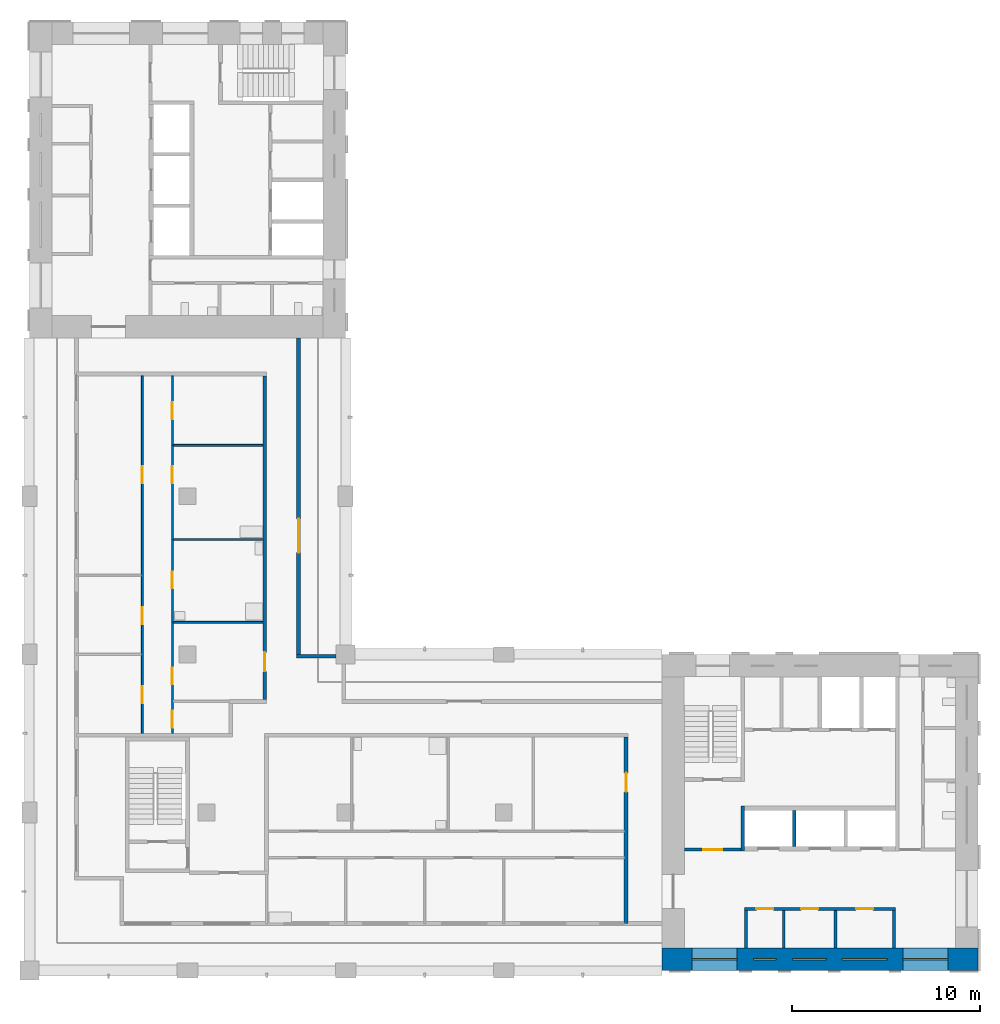
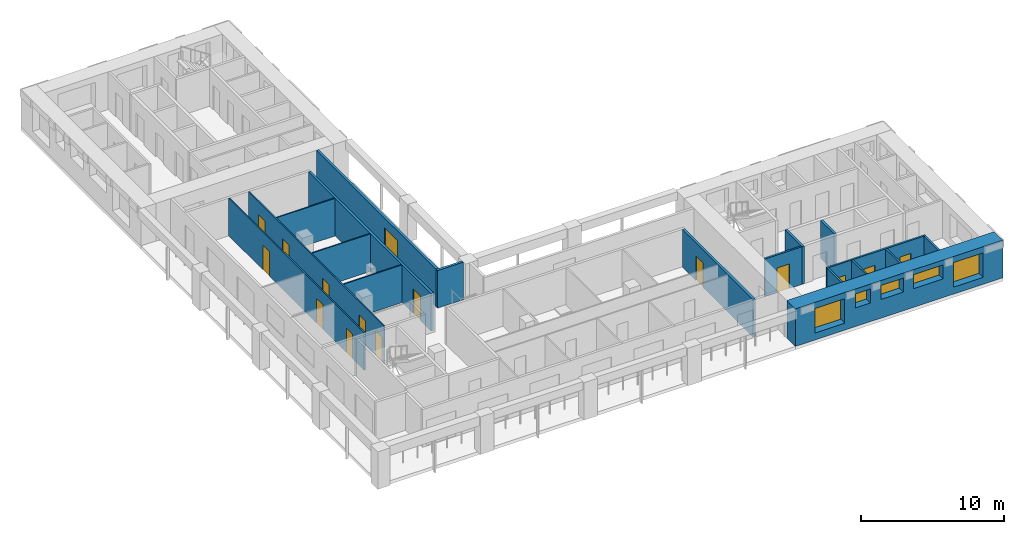
# One storey, part 3 of 9: 18 walls, 15 doors, 5 windows, 20 openings.
"""IFC4 building model written with IfcOpenShell, lengths in metres."""

from ifc_helpers import new_model, si_unit, direction, frame, frame_2d, origin, place, context, subcontext, project, spatial, rectangle, extrude, material, layer, layer_set, type_object, element, fill, save


model = new_model("IFC4")

# Units and contexts
model_context = context("Model", 3, precision=1e-05, world=origin(), true_north=direction((0.0, 1.0)))
body_context = subcontext(model_context, "Body", "Model", "MODEL_VIEW")
ifc_project = project(units=[si_unit("LENGTHUNIT", "METRE"), si_unit("AREAUNIT", "SQUARE_METRE"), si_unit("VOLUMEUNIT", "CUBIC_METRE"), si_unit("PLANEANGLEUNIT", "RADIAN"), si_unit("MASSUNIT", "GRAM", prefix="KILO")], contexts=[model_context])

# Site, building, storey
site_placement = place(None, origin())
site = spatial("IfcSite", under=ifc_project, at=site_placement, CompositionType="ELEMENT")
building_placement = place(site_placement, origin())
building = spatial("IfcBuilding", under=site, at=building_placement, Name="Vermilion Gate Residences", CompositionType="ELEMENT")
storey_placement = place(building_placement, frame((0.0, 0.0, 231.699951171875)))
storey = spatial("IfcBuildingStorey", under=building, at=storey_placement, Name="L60", CompositionType="ELEMENT", Elevation=231.699951171875)

# Walls
ifc_material_1 = material(Name="Masonry blockwork", Category="masonry")
ifc_layer_1 = layer(ifc_material_1, 0.14990234375)
ifc_layer_set_1 = layer_set([ifc_layer_1], Name="BLOCKWORK PARTITION 150 EI 120")
wall_type_1 = type_object("IfcWallType", Name="BLOCKWORK PARTITION 150 EI 120", PredefinedType="PARTITIONING", material=ifc_layer_set_1)
for number, where, z_axis, x_axis, name in (
    (1, (46.47509765625, 9.60009765625, 0.0), (0.0, 0.0, 1.0), (0.0, 1.0, 0.0), "Core room partition A60-RW-W"),
    (2, (54.324951171875, 9.60009765625, 0.0), (0.0, 0.0, 1.0), (0.0, 1.0, 0.0), "Core room partition A60-RW-E"),
    (3, (48.47509765625, 9.60009765625, 0.0), (0.0, 0.0, 1.0), (0.0, 1.0, 0.0), "Core room partition A60-SR-P0"),
    (4, (51.215087890625, 9.60009765625, 0.0), (0.0, 0.0, 1.0), (0.0, 1.0, 0.0), "Core room partition A60-SR-P1"),
):
    element("IfcWall", number, at=place(storey_placement, frame(where, z_axis=z_axis, x_axis=x_axis)), inside=storey, type_object=wall_type_1, Name=name, PredefinedType="PARTITIONING", context=body_context, shape_type="SweptSolid", body=[
        extrude(rectangle(XDim=2.0, YDim=0.14990234375, at=frame_2d((1.0, 0.0))), origin(), (0.0, 0.0, 1.0), 3.219970703125),
    ])

# Wall, openings, doors
wall_1_placement = place(storey_placement, frame((46.39990234375, 11.675048828125, 0.0), z_axis=(0.0, 0.0, 1.0), x_axis=(1.0, 0.0, 0.0)))
wall_1 = element("IfcWall", 5, at=wall_1_placement, inside=storey, type_object=wall_type_1, Name="Core room partition A60-LR-F", PredefinedType="PARTITIONING", context=body_context, shape_type="SweptSolid", body=[
    extrude(rectangle(XDim=8.0, YDim=0.14990234375, at=frame_2d((4.0, 0.0))), origin(), (0.0, 0.0, 1.0), 3.219970703125),
])
opening_1_placement = place(wall_1_placement, frame((0.625, 0.0, 0.0)))
opening_1 = element("IfcOpeningElement", 6, at=opening_1_placement, cuts=wall_1, Name="Opening DK60002", PredefinedType="OPENING", context=body_context, shape_type="SweptSolid", body=[
    extrude(rectangle(XDim=0.89990234375, YDim=2.10009765625, at=frame_2d((0.449951171875, 1.050048828125))), frame((0.0, 0.0849609375, 0.0), z_axis=(0.0, -1.0, 0.0), x_axis=(1.0, 0.0, 0.0)), (0.0, 0.0, 1.0), 0.169921875),
])
opening_2_placement = place(wall_1_placement, frame((2.9951171875, 0.0, 0.0)))
opening_2 = element("IfcOpeningElement", 7, at=opening_2_placement, cuts=wall_1, Name="Opening DK60003", PredefinedType="OPENING", context=body_context, shape_type="SweptSolid", body=[
    extrude(rectangle(XDim=0.89990234375, YDim=2.10009765625, at=frame_2d((0.449951171875, 1.050048828125))), frame((0.0, 0.0849609375, 0.0), z_axis=(0.0, -1.0, 0.0), x_axis=(1.0, 0.0, 0.0)), (0.0, 0.0, 1.0), 0.169921875),
])
opening_3_placement = place(wall_1_placement, frame((5.919921875, 0.0, 0.0)))
opening_3 = element("IfcOpeningElement", 8, at=opening_3_placement, cuts=wall_1, Name="Opening DK60004", PredefinedType="OPENING", context=body_context, shape_type="SweptSolid", body=[
    extrude(rectangle(XDim=0.89990234375, YDim=2.10009765625, at=frame_2d((0.449951171875, 1.050048828125))), frame((0.0, 0.0849609375, 0.0), z_axis=(0.0, -1.0, 0.0), x_axis=(1.0, 0.0, 0.0)), (0.0, 0.0, 1.0), 0.169921875),
])
ifc_material_2 = material(Name="Steel", Category="steel")
door_type_1 = type_object("IfcDoorType", Name="SERVICE ROOM DOOR FD60 900 X 2100", OperationType="SINGLE_SWING_LEFT", PredefinedType="DOOR", material=ifc_material_2)
door_1_placement = place(opening_1_placement, frame((0.89990234375, 0.0, 0.0), z_axis=(0.0, 0.0, 1.0), x_axis=(-1.0, 0.0, 0.0)))
door_1 = element("IfcDoor", 9, at=door_1_placement, inside=storey, type_object=door_type_1, Name="Mail room A60", OperationType="SINGLE_SWING_RIGHT", OverallHeight=2.10009765625, OverallWidth=0.89990234375, PredefinedType="DOOR", context=body_context, shape_type="SweptSolid", body=[
    extrude(rectangle(XDim=0.89990234375, YDim=2.10009765625, at=frame_2d((0.449951171875, 1.050048828125))), frame((0.0, 0.02490234375, 0.0), z_axis=(0.0, -1.0, 0.0), x_axis=(1.0, 0.0, 0.0)), (0.0, 0.0, 1.0), 0.050048828125),
])
fill(opening_1, door_1)
door_2_placement = place(opening_2_placement, frame((0.89990234375, 0.0, 0.0), z_axis=(0.0, 0.0, 1.0), x_axis=(-1.0, 0.0, 0.0)))
door_2 = element("IfcDoor", 10, at=door_2_placement, inside=storey, type_object=door_type_1, Name="Cleaner's store A60", OperationType="SINGLE_SWING_RIGHT", OverallHeight=2.10009765625, OverallWidth=0.89990234375, PredefinedType="DOOR", context=body_context, shape_type="SweptSolid", body=[
    extrude(rectangle(XDim=0.89990234375, YDim=2.10009765625, at=frame_2d((0.449951171875, 1.050048828125))), frame((0.0, 0.02490234375, 0.0), z_axis=(0.0, -1.0, 0.0), x_axis=(1.0, 0.0, 0.0)), (0.0, 0.0, 1.0), 0.050048828125),
])
fill(opening_2, door_2)
door_3_placement = place(opening_3_placement, origin())
door_3 = element("IfcDoor", 11, at=door_3_placement, inside=storey, type_object=door_type_1, Name="Electrical room A60", OperationType="SINGLE_SWING_LEFT", OverallHeight=2.10009765625, OverallWidth=0.89990234375, PredefinedType="DOOR", context=body_context, shape_type="SweptSolid", body=[
    extrude(rectangle(XDim=0.89990234375, YDim=2.10009765625, at=frame_2d((0.449951171875, 1.050048828125))), frame((0.0, 0.02490234375, 0.0), z_axis=(0.0, -1.0, 0.0), x_axis=(1.0, 0.0, 0.0)), (0.0, 0.0, 1.0), 0.050048828125),
])
fill(opening_3, door_3)

# Wall, opening, door
wall_2_placement = place(storey_placement, frame((43.199951171875, 14.824951171875, 0.0), z_axis=(0.0, 0.0, 1.0), x_axis=(1.0, 0.0, 0.0)))
wall_2 = element("IfcWall", 12, at=wall_2_placement, inside=storey, type_object=wall_type_1, Name="Core room partition A60-VW-S", PredefinedType="PARTITIONING", context=body_context, shape_type="SweptSolid", body=[
    extrude(rectangle(XDim=3.0, YDim=0.14990234375, at=frame_2d((1.5, 0.0))), origin(), (0.0, 0.0, 1.0), 3.219970703125),
])
opening_4_placement = place(wall_2_placement, frame((1.0, 0.0, 0.0)))
opening_4 = element("IfcOpeningElement", 13, at=opening_4_placement, cuts=wall_2, Name="Opening DK60012", PredefinedType="OPENING", context=body_context, shape_type="SweptSolid", body=[
    extrude(rectangle(XDim=1.0, YDim=2.10009765625, at=frame_2d((0.5, 1.050048828125))), frame((0.0, 0.0849609375, 0.0), z_axis=(0.0, -1.0, 0.0), x_axis=(1.0, 0.0, 0.0)), (0.0, 0.0, 1.0), 0.169921875),
])
ifc_material_3 = material(Name="Steel", Category="steel")
door_type_2 = type_object("IfcDoorType", Name="FIRE DOOR FD60 1000 X 2100", OperationType="SINGLE_SWING_LEFT", PredefinedType="DOOR", material=ifc_material_3)
door_4_placement = place(opening_4_placement, frame((1.0, 0.0, 0.0), z_axis=(0.0, 0.0, 1.0), x_axis=(-1.0, 0.0, 0.0)))
door_4 = element("IfcDoor", 14, at=door_4_placement, inside=storey, type_object=door_type_2, Name="Stair vestibule door A60", OperationType="SINGLE_SWING_RIGHT", OverallHeight=2.10009765625, OverallWidth=1.0, PredefinedType="DOOR", context=body_context, shape_type="SweptSolid", body=[
    extrude(rectangle(XDim=1.0, YDim=2.10009765625, at=frame_2d((0.5, 1.050048828125))), frame((0.0, 0.02490234375, 0.0), z_axis=(0.0, -1.0, 0.0), x_axis=(1.0, 0.0, 0.0)), (0.0, 0.0, 1.0), 0.050048828125),
])
fill(opening_4, door_4)

# Wall
ifc_material_4 = material(Name="Insulated steel stud wall with terracotta rainscreen", Category="masonry")
ifc_layer_2 = layer(ifc_material_4, 0.199951171875)
ifc_layer_set_2 = layer_set([ifc_layer_2], Name="EXTERNAL WALL 200 TERRACOTTA RAINSCREEN")
wall_type_2 = type_object("IfcWallType", Name="EXTERNAL WALL 200 TERRACOTTA RAINSCREEN", PredefinedType="SOLIDWALL", material=ifc_layer_set_2)
wall_3_placement = place(storey_placement, frame((24.699951171875, 25.10009765625, 0.0), z_axis=(0.0, 0.0, 1.0), x_axis=(-1.0, 0.0, 0.0)))
element("IfcWall", 15, at=wall_3_placement, inside=storey, type_object=wall_type_2, Name="External wall", PredefinedType="SOLIDWALL", context=body_context, shape_type="SweptSolid", body=[
    extrude(rectangle(XDim=2.099853515625, YDim=0.199951171875, at=frame_2d((1.0498046875, 0.0))), origin(), (0.0, 0.0, 1.0), 3.219970703125),
])

# Wall, opening, door
wall_4_placement = place(storey_placement, frame((22.699951171875, 25.199951171875, 0.0), z_axis=(0.0, 0.0, 1.0), x_axis=(0.0, 1.0, 0.0)))
wall_4 = element("IfcWall", 16, at=wall_4_placement, inside=storey, type_object=wall_type_2, Name="External wall", PredefinedType="SOLIDWALL", context=body_context, shape_type="SweptSolid", body=[
    extrude(rectangle(XDim=16.800048828125, YDim=0.199951171875, at=frame_2d((8.39990234375, 0.0))), origin(), (0.0, 0.0, 1.0), 3.219970703125),
])
opening_5_placement = place(wall_4_placement, frame((5.39990234375, 0.0, 0.0)))
opening_5 = element("IfcOpeningElement", 17, at=opening_5_placement, cuts=wall_4, Name="Opening DE60016", PredefinedType="OPENING", context=body_context, shape_type="SweptSolid", body=[
    extrude(rectangle(XDim=1.800048828125, YDim=2.39990234375, at=frame_2d((0.89990234375, 1.199951171875))), frame((0.0, 0.10986328125, 0.0), z_axis=(0.0, -1.0, 0.0), x_axis=(1.0, 0.0, 0.0)), (0.0, 0.0, 1.0), 0.219970703125),
])
ifc_material_5 = material(Name="Aluminium and clear glass", Category="aluminium")
door_type_3 = type_object("IfcDoorType", Name="GLAZED EXTERNAL DOOR 1800 X 2400", OperationType="DOUBLE_DOOR_SINGLE_SWING", PredefinedType="DOOR", material=ifc_material_5)
door_5_placement = place(opening_5_placement, frame((1.800048828125, 0.0, 0.0), z_axis=(0.0, 0.0, 1.0), x_axis=(-1.0, 0.0, 0.0)))
door_5 = element("IfcDoor", 18, at=door_5_placement, inside=storey, type_object=door_type_3, Name="Gallery door", OperationType="DOUBLE_DOOR_SINGLE_SWING", OverallHeight=2.39990234375, OverallWidth=1.800048828125, PredefinedType="DOOR", context=body_context, shape_type="SweptSolid", body=[
    extrude(rectangle(XDim=1.800048828125, YDim=2.39990234375, at=frame_2d((0.89990234375, 1.199951171875))), frame((0.0, 0.02490234375, 0.0), z_axis=(0.0, -1.0, 0.0), x_axis=(1.0, 0.0, 0.0)), (0.0, 0.0, 1.0), 0.050048828125),
])
fill(opening_5, door_5)

# Walls
ifc_material_6 = material(Name="Plasterboard on steel studs", Category="steel")
ifc_layer_3 = layer(ifc_material_6, 0.10009765625)
ifc_layer_set_3 = layer_set([ifc_layer_3], Name="PARTITION 100")
wall_type_3 = type_object("IfcWallType", Name="PARTITION 100", PredefinedType="PARTITIONING", material=ifc_layer_set_3)
for number, where, z_axis, x_axis, name in (
    (19, (16.050048828125, 26.89990234375, 0.0), (0.0, 0.0, 1.0), (1.0, 0.0, 0.0), "Partition"),
    (20, (16.050048828125, 31.300048828125, 0.0), (0.0, 0.0, 1.0), (1.0, 0.0, 0.0), "Partition"),
    (21, (16.050048828125, 36.300048828125, 0.0), (0.0, 0.0, 1.0), (1.0, 0.0, 0.0), "Partition"),
):
    element("IfcWall", number, at=place(storey_placement, frame(where, z_axis=z_axis, x_axis=x_axis)), inside=storey, type_object=wall_type_3, Name=name, PredefinedType="PARTITIONING", context=body_context, shape_type="SweptSolid", body=[
        extrude(rectangle(XDim=4.75, YDim=0.10009765625, at=frame_2d((2.375, 0.0))), origin(), (0.0, 0.0, 1.0), 3.219970703125),
    ])

# Wall, openings, doors
wall_5_placement = place(storey_placement, frame((14.39990234375, 21.0, 0.0), z_axis=(0.0, 0.0, 1.0), x_axis=(0.0, 1.0, 0.0)))
wall_5 = element("IfcWall", 22, at=wall_5_placement, inside=storey, type_object=wall_type_3, Name="Partition", PredefinedType="PARTITIONING", context=body_context, shape_type="SweptSolid", body=[
    extrude(rectangle(XDim=19.0, YDim=0.10009765625, at=frame_2d((9.5, 0.0))), origin(), (0.0, 0.0, 1.0), 3.219970703125),
])
opening_6_placement = place(wall_5_placement, frame((1.60009765625, 0.0, 0.0)))
opening_6 = element("IfcOpeningElement", 23, at=opening_6_placement, cuts=wall_5, Name="Opening DA58010", PredefinedType="OPENING", context=body_context, shape_type="SweptSolid", body=[
    extrude(rectangle(XDim=0.89990234375, YDim=2.10009765625, at=frame_2d((0.449951171875, 1.050048828125))), frame((0.0, 0.06005859375, 0.0), z_axis=(0.0, -1.0, 0.0), x_axis=(1.0, 0.0, 0.0)), (0.0, 0.0, 1.0), 0.1201171875),
])
opening_7_placement = place(wall_5_placement, frame((5.800048828125, 0.0, 0.0)))
opening_7 = element("IfcOpeningElement", 24, at=opening_7_placement, cuts=wall_5, Name="Opening DA58011", PredefinedType="OPENING", context=body_context, shape_type="SweptSolid", body=[
    extrude(rectangle(XDim=0.89990234375, YDim=2.10009765625, at=frame_2d((0.449951171875, 1.050048828125))), frame((0.0, 0.06005859375, 0.0), z_axis=(0.0, -1.0, 0.0), x_axis=(1.0, 0.0, 0.0)), (0.0, 0.0, 1.0), 0.1201171875),
])
opening_8_placement = place(wall_5_placement, frame((13.300048828125, 0.0, 0.0)))
opening_8 = element("IfcOpeningElement", 25, at=opening_8_placement, cuts=wall_5, Name="Opening DA58012", PredefinedType="OPENING", context=body_context, shape_type="SweptSolid", body=[
    extrude(rectangle(XDim=0.89990234375, YDim=2.10009765625, at=frame_2d((0.449951171875, 1.050048828125))), frame((0.0, 0.06005859375, 0.0), z_axis=(0.0, -1.0, 0.0), x_axis=(1.0, 0.0, 0.0)), (0.0, 0.0, 1.0), 0.1201171875),
])
ifc_material_7 = material(Name="Timber", Category="wood")
door_type_4 = type_object("IfcDoorType", Name="INTERIOR DOOR 900 X 2100", OperationType="SINGLE_SWING_LEFT", PredefinedType="DOOR", material=ifc_material_7)
door_6_placement = place(opening_6_placement, origin())
door_6 = element("IfcDoor", 26, at=door_6_placement, inside=storey, type_object=door_type_4, Name="Interior door", OperationType="SINGLE_SWING_LEFT", OverallHeight=2.10009765625, OverallWidth=0.89990234375, PredefinedType="DOOR", context=body_context, shape_type="SweptSolid", body=[
    extrude(rectangle(XDim=0.89990234375, YDim=2.10009765625, at=frame_2d((0.449951171875, 1.050048828125))), frame((0.0, 0.02490234375, 0.0), z_axis=(0.0, -1.0, 0.0), x_axis=(1.0, 0.0, 0.0)), (0.0, 0.0, 1.0), 0.050048828125),
])
fill(opening_6, door_6)
door_7_placement = place(opening_7_placement, origin())
door_7 = element("IfcDoor", 27, at=door_7_placement, inside=storey, type_object=door_type_4, Name="Interior door", OperationType="SINGLE_SWING_LEFT", OverallHeight=2.10009765625, OverallWidth=0.89990234375, PredefinedType="DOOR", context=body_context, shape_type="SweptSolid", body=[
    extrude(rectangle(XDim=0.89990234375, YDim=2.10009765625, at=frame_2d((0.449951171875, 1.050048828125))), frame((0.0, 0.02490234375, 0.0), z_axis=(0.0, -1.0, 0.0), x_axis=(1.0, 0.0, 0.0)), (0.0, 0.0, 1.0), 0.050048828125),
])
fill(opening_7, door_7)
door_8_placement = place(opening_8_placement, origin())
door_8 = element("IfcDoor", 28, at=door_8_placement, inside=storey, type_object=door_type_4, Name="Interior door", OperationType="SINGLE_SWING_LEFT", OverallHeight=2.10009765625, OverallWidth=0.89990234375, PredefinedType="DOOR", context=body_context, shape_type="SweptSolid", body=[
    extrude(rectangle(XDim=0.89990234375, YDim=2.10009765625, at=frame_2d((0.449951171875, 1.050048828125))), frame((0.0, 0.02490234375, 0.0), z_axis=(0.0, -1.0, 0.0), x_axis=(1.0, 0.0, 0.0)), (0.0, 0.0, 1.0), 0.050048828125),
])
fill(opening_8, door_8)

wall_6_placement = place(storey_placement, frame((16.0, 21.0, 0.0), z_axis=(0.0, 0.0, 1.0), x_axis=(0.0, 1.0, 0.0)))
wall_6 = element("IfcWall", 29, at=wall_6_placement, inside=storey, type_object=wall_type_3, Name="Partition", PredefinedType="PARTITIONING", context=body_context, shape_type="SweptSolid", body=[
    extrude(rectangle(XDim=19.0, YDim=0.10009765625, at=frame_2d((9.5, 0.0))), origin(), (0.0, 0.0, 1.0), 3.219970703125),
])
opening_9_placement = place(wall_6_placement, frame((2.60009765625, 0.0, 0.0)))
opening_9 = element("IfcOpeningElement", 30, at=opening_9_placement, cuts=wall_6, Name="Opening DA58013", PredefinedType="OPENING", context=body_context, shape_type="SweptSolid", body=[
    extrude(rectangle(XDim=0.89990234375, YDim=2.10009765625, at=frame_2d((0.449951171875, 1.050048828125))), frame((0.0, 0.06005859375, 0.0), z_axis=(0.0, -1.0, 0.0), x_axis=(1.0, 0.0, 0.0)), (0.0, 0.0, 1.0), 0.1201171875),
])
opening_10_placement = place(wall_6_placement, frame((0.300048828125, 0.0, 0.0)))
opening_10 = element("IfcOpeningElement", 31, at=opening_10_placement, cuts=wall_6, Name="Opening DA58014", PredefinedType="OPENING", context=body_context, shape_type="SweptSolid", body=[
    extrude(rectangle(XDim=0.89990234375, YDim=2.10009765625, at=frame_2d((0.449951171875, 1.050048828125))), frame((0.0, 0.06005859375, 0.0), z_axis=(0.0, -1.0, 0.0), x_axis=(1.0, 0.0, 0.0)), (0.0, 0.0, 1.0), 0.1201171875),
])
opening_11_placement = place(wall_6_placement, frame((7.699951171875, 0.0, 0.0)))
opening_11 = element("IfcOpeningElement", 32, at=opening_11_placement, cuts=wall_6, Name="Opening DA58015", PredefinedType="OPENING", context=body_context, shape_type="SweptSolid", body=[
    extrude(rectangle(XDim=0.89990234375, YDim=2.10009765625, at=frame_2d((0.449951171875, 1.050048828125))), frame((0.0, 0.06005859375, 0.0), z_axis=(0.0, -1.0, 0.0), x_axis=(1.0, 0.0, 0.0)), (0.0, 0.0, 1.0), 0.1201171875),
])
opening_12_placement = place(wall_6_placement, frame((13.300048828125, 0.0, 0.0)))
opening_12 = element("IfcOpeningElement", 33, at=opening_12_placement, cuts=wall_6, Name="Opening DA58016", PredefinedType="OPENING", context=body_context, shape_type="SweptSolid", body=[
    extrude(rectangle(XDim=0.89990234375, YDim=2.10009765625, at=frame_2d((0.449951171875, 1.050048828125))), frame((0.0, 0.06005859375, 0.0), z_axis=(0.0, -1.0, 0.0), x_axis=(1.0, 0.0, 0.0)), (0.0, 0.0, 1.0), 0.1201171875),
])
opening_13_placement = place(wall_6_placement, frame((16.699951171875, 0.0, 0.0)))
opening_13 = element("IfcOpeningElement", 34, at=opening_13_placement, cuts=wall_6, Name="Opening DA58017", PredefinedType="OPENING", context=body_context, shape_type="SweptSolid", body=[
    extrude(rectangle(XDim=0.89990234375, YDim=2.10009765625, at=frame_2d((0.449951171875, 1.050048828125))), frame((0.0, 0.06005859375, 0.0), z_axis=(0.0, -1.0, 0.0), x_axis=(1.0, 0.0, 0.0)), (0.0, 0.0, 1.0), 0.1201171875),
])
door_9_placement = place(opening_9_placement, frame((0.89990234375, 0.0, 0.0), z_axis=(0.0, 0.0, 1.0), x_axis=(-1.0, 0.0, 0.0)))
door_9 = element("IfcDoor", 35, at=door_9_placement, inside=storey, type_object=door_type_4, Name="Interior door", OperationType="SINGLE_SWING_RIGHT", OverallHeight=2.10009765625, OverallWidth=0.89990234375, PredefinedType="DOOR", context=body_context, shape_type="SweptSolid", body=[
    extrude(rectangle(XDim=0.89990234375, YDim=2.10009765625, at=frame_2d((0.449951171875, 1.050048828125))), frame((0.0, 0.02490234375, 0.0), z_axis=(0.0, -1.0, 0.0), x_axis=(1.0, 0.0, 0.0)), (0.0, 0.0, 1.0), 0.050048828125),
])
fill(opening_9, door_9)
door_10_placement = place(opening_10_placement, frame((0.89990234375, 0.0, 0.0), z_axis=(0.0, 0.0, 1.0), x_axis=(-1.0, 0.0, 0.0)))
door_10 = element("IfcDoor", 36, at=door_10_placement, inside=storey, type_object=door_type_4, Name="Interior door", OperationType="SINGLE_SWING_RIGHT", OverallHeight=2.10009765625, OverallWidth=0.89990234375, PredefinedType="DOOR", context=body_context, shape_type="SweptSolid", body=[
    extrude(rectangle(XDim=0.89990234375, YDim=2.10009765625, at=frame_2d((0.449951171875, 1.050048828125))), frame((0.0, 0.02490234375, 0.0), z_axis=(0.0, -1.0, 0.0), x_axis=(1.0, 0.0, 0.0)), (0.0, 0.0, 1.0), 0.050048828125),
])
fill(opening_10, door_10)
door_11_placement = place(opening_11_placement, frame((0.89990234375, 0.0, 0.0), z_axis=(0.0, 0.0, 1.0), x_axis=(-1.0, 0.0, 0.0)))
door_11 = element("IfcDoor", 37, at=door_11_placement, inside=storey, type_object=door_type_4, Name="Interior door", OperationType="SINGLE_SWING_RIGHT", OverallHeight=2.10009765625, OverallWidth=0.89990234375, PredefinedType="DOOR", context=body_context, shape_type="SweptSolid", body=[
    extrude(rectangle(XDim=0.89990234375, YDim=2.10009765625, at=frame_2d((0.449951171875, 1.050048828125))), frame((0.0, 0.02490234375, 0.0), z_axis=(0.0, -1.0, 0.0), x_axis=(1.0, 0.0, 0.0)), (0.0, 0.0, 1.0), 0.050048828125),
])
fill(opening_11, door_11)
door_12_placement = place(opening_12_placement, frame((0.89990234375, 0.0, 0.0), z_axis=(0.0, 0.0, 1.0), x_axis=(-1.0, 0.0, 0.0)))
door_12 = element("IfcDoor", 38, at=door_12_placement, inside=storey, type_object=door_type_4, Name="Interior door", OperationType="SINGLE_SWING_LEFT", OverallHeight=2.10009765625, OverallWidth=0.89990234375, PredefinedType="DOOR", context=body_context, shape_type="SweptSolid", body=[
    extrude(rectangle(XDim=0.89990234375, YDim=2.10009765625, at=frame_2d((0.449951171875, 1.050048828125))), frame((0.0, 0.02490234375, 0.0), z_axis=(0.0, -1.0, 0.0), x_axis=(1.0, 0.0, 0.0)), (0.0, 0.0, 1.0), 0.050048828125),
])
fill(opening_12, door_12)
door_13_placement = place(opening_13_placement, frame((0.89990234375, 0.0, 0.0), z_axis=(0.0, 0.0, 1.0), x_axis=(-1.0, 0.0, 0.0)))
door_13 = element("IfcDoor", 39, at=door_13_placement, inside=storey, type_object=door_type_4, Name="Interior door", OperationType="SINGLE_SWING_RIGHT", OverallHeight=2.10009765625, OverallWidth=0.89990234375, PredefinedType="DOOR", context=body_context, shape_type="SweptSolid", body=[
    extrude(rectangle(XDim=0.89990234375, YDim=2.10009765625, at=frame_2d((0.449951171875, 1.050048828125))), frame((0.0, 0.02490234375, 0.0), z_axis=(0.0, -1.0, 0.0), x_axis=(1.0, 0.0, 0.0)), (0.0, 0.0, 1.0), 0.050048828125),
])
fill(opening_13, door_13)

# Wall, opening, door
ifc_material_8 = material(Name="Fire-rated plasterboard on steel studs", Category="steel")
ifc_layer_4 = layer(ifc_material_8, 0.199951171875)
ifc_layer_set_4 = layer_set([ifc_layer_4], Name="PARTY WALL 200 EI 120")
wall_type_4 = type_object("IfcWallType", Name="PARTY WALL 200 EI 120", PredefinedType="PARTITIONING", material=ifc_layer_set_4)
wall_7_placement = place(storey_placement, frame((20.89990234375, 22.800048828125, 0.0), z_axis=(0.0, 0.0, 1.0), x_axis=(0.0, 1.0, 0.0)))
wall_7 = element("IfcWall", 40, at=wall_7_placement, inside=storey, type_object=wall_type_4, Name="Party and corridor wall", PredefinedType="PARTITIONING", context=body_context, shape_type="SweptSolid", body=[
    extrude(rectangle(XDim=17.199951171875, YDim=0.199951171875, at=frame_2d((8.60009765625, 0.0))), origin(), (0.0, 0.0, 1.0), 3.219970703125),
])
opening_14_placement = place(wall_7_placement, frame((1.5, 0.0, 0.0)))
opening_14 = element("IfcOpeningElement", 41, at=opening_14_placement, cuts=wall_7, Name="Opening DA58018", PredefinedType="OPENING", context=body_context, shape_type="SweptSolid", body=[
    extrude(rectangle(XDim=1.0, YDim=2.10009765625, at=frame_2d((0.5, 1.050048828125))), frame((0.0, 0.10986328125, 0.0), z_axis=(0.0, -1.0, 0.0), x_axis=(1.0, 0.0, 0.0)), (0.0, 0.0, 1.0), 0.219970703125),
])
ifc_material_9 = material(Name="Steel", Category="steel")
door_type_5 = type_object("IfcDoorType", Name="ENTRANCE DOOR 1000 X 2100 FD30", OperationType="SINGLE_SWING_LEFT", PredefinedType="DOOR", material=ifc_material_9)
door_14_placement = place(opening_14_placement, origin())
door_14 = element("IfcDoor", 42, at=door_14_placement, inside=storey, type_object=door_type_5, Name="Entrance door", OperationType="SINGLE_SWING_LEFT", OverallHeight=2.10009765625, OverallWidth=1.0, PredefinedType="DOOR", context=body_context, shape_type="SweptSolid", body=[
    extrude(rectangle(XDim=1.0, YDim=2.10009765625, at=frame_2d((0.5, 1.050048828125))), frame((0.0, 0.02490234375, 0.0), z_axis=(0.0, -1.0, 0.0), x_axis=(1.0, 0.0, 0.0)), (0.0, 0.0, 1.0), 0.050048828125),
])
fill(opening_14, door_14)

wall_8_placement = place(storey_placement, frame((40.10009765625, 10.89990234375, 0.0), z_axis=(0.0, 0.0, 1.0), x_axis=(0.0, 1.0, 0.0)))
wall_8 = element("IfcWall", 43, at=wall_8_placement, inside=storey, type_object=wall_type_4, Name="Party and corridor wall", PredefinedType="PARTITIONING", context=body_context, shape_type="SweptSolid", body=[
    extrude(rectangle(XDim=9.900146484375, YDim=0.199951171875, at=frame_2d((4.9501953125, 0.0))), origin(), (0.0, 0.0, 1.0), 3.219970703125),
])
opening_15_placement = place(wall_8_placement, frame((7.0, 0.0, 0.0)))
opening_15 = element("IfcOpeningElement", 44, at=opening_15_placement, cuts=wall_8, Name="Opening DA58019", PredefinedType="OPENING", context=body_context, shape_type="SweptSolid", body=[
    extrude(rectangle(XDim=1.0, YDim=2.10009765625, at=frame_2d((0.5, 1.050048828125))), frame((0.0, 0.10986328125, 0.0), z_axis=(0.0, -1.0, 0.0), x_axis=(1.0, 0.0, 0.0)), (0.0, 0.0, 1.0), 0.219970703125),
])
door_15_placement = place(opening_15_placement, origin())
door_15 = element("IfcDoor", 45, at=door_15_placement, inside=storey, type_object=door_type_5, Name="Entrance door", OperationType="SINGLE_SWING_RIGHT", OverallHeight=2.10009765625, OverallWidth=1.0, PredefinedType="DOOR", context=body_context, shape_type="SweptSolid", body=[
    extrude(rectangle(XDim=1.0, YDim=2.10009765625, at=frame_2d((0.5, 1.050048828125))), frame((0.0, 0.02490234375, 0.0), z_axis=(0.0, -1.0, 0.0), x_axis=(1.0, 0.0, 0.0)), (0.0, 0.0, 1.0), 0.050048828125),
])
fill(opening_15, door_15)

# Walls
ifc_material_10 = material(Name="Concrete C60", Category="concrete")
ifc_layer_5 = layer(ifc_material_10, 0.199951171875)
ifc_layer_set_5 = layer_set([ifc_layer_5], Name="RC CORE INTERNAL WALL 200 C60")
wall_type_5 = type_object("IfcWallType", Name="RC CORE INTERNAL WALL 200 C60", PredefinedType="SHEAR", material=ifc_layer_set_5)
wall_9_placement = place(storey_placement, frame((49.033447265625, 15.0, 0.0), z_axis=(0.0, 0.0, 1.0), x_axis=(0.0, 1.0, 0.0)))
element("IfcWall", 46, at=wall_9_placement, inside=storey, type_object=wall_type_5, Name="Core internal wall A60-HR-D1", PredefinedType="SHEAR", context=body_context, shape_type="SweptSolid", body=[
    extrude(rectangle(XDim=1.89990234375, YDim=0.199951171875, at=frame_2d((0.949951171875, 0.0))), origin(), (0.0, 0.0, 1.0), 3.219970703125),
])
wall_10_placement = place(storey_placement, frame((46.300048828125, 14.75, 0.0), z_axis=(0.0, 0.0, 1.0), x_axis=(0.0, 1.0, 0.0)))
element("IfcWall", 47, at=wall_10_placement, inside=storey, type_object=wall_type_5, Name="Core internal wall A60-WDIV1", PredefinedType="SHEAR", context=body_context, shape_type="SweptSolid", body=[
    extrude(rectangle(XDim=2.39990234375, YDim=0.199951171875, at=frame_2d((1.199951171875, 0.0))), origin(), (0.0, 0.0, 1.0), 3.219970703125),
])

# Wall, openings, windows
ifc_material_11 = material(Name="Concrete C50 red-oxide pigmented", Category="concrete")
ifc_layer_6 = layer(ifc_material_11, 1.199951171875)
ifc_layer_set_6 = layer_set([ifc_layer_6], Name="RC CORE WALL 1200 C50 RED OXIDE")
wall_type_6 = type_object("IfcWallType", Name="RC CORE WALL 1200 C50 RED OXIDE", PredefinedType="SHEAR", material=ifc_layer_set_6)
wall_11_placement = place(storey_placement, frame((42.0, 9.0, 0.0), z_axis=(0.0, 0.0, 1.0), x_axis=(1.0, 0.0, 0.0)))
wall_11 = element("IfcWall", 48, at=wall_11_placement, inside=storey, type_object=wall_type_6, Name="Core wall A60-OUT-B0", PredefinedType="SHEAR", context=body_context, shape_type="SweptSolid", body=[
    extrude(rectangle(XDim=16.800048828125, YDim=1.199951171875, at=frame_2d((8.39990234375, 0.0))), origin(), (0.0, 0.0, 1.0), 3.219970703125),
])
opening_16_placement = place(wall_11_placement, frame((1.60009765625, 0.0, 0.60009765625)))
opening_16 = element("IfcOpeningElement", 49, at=opening_16_placement, cuts=wall_11, Name="Opening WKA6001", PredefinedType="OPENING", context=body_context, shape_type="SweptSolid", body=[
    extrude(rectangle(XDim=2.39990234375, YDim=2.10009765625, at=frame_2d((1.199951171875, 1.050048828125))), frame((0.0, 0.60986328125, 0.0), z_axis=(0.0, -1.0, 0.0), x_axis=(1.0, 0.0, 0.0)), (0.0, 0.0, 1.0), 1.219970703125),
])
opening_17_placement = place(wall_11_placement, frame((4.875, 0.0, 1.60009765625)))
opening_17 = element("IfcOpeningElement", 50, at=opening_17_placement, cuts=wall_11, Name="Opening WKA6002", PredefinedType="OPENING", context=body_context, shape_type="SweptSolid", body=[
    extrude(rectangle(XDim=1.199951171875, YDim=1.199951171875, at=frame_2d((0.60009765625, 0.60009765625))), frame((0.0, 0.60986328125, 0.0), z_axis=(0.0, -1.0, 0.0), x_axis=(1.0, 0.0, 0.0)), (0.0, 0.0, 1.0), 1.219970703125),
])
opening_18_placement = place(wall_11_placement, frame((6.945068359375, 0.0, 1.60009765625)))
opening_18 = element("IfcOpeningElement", 51, at=opening_18_placement, cuts=wall_11, Name="Opening WKA6003", PredefinedType="OPENING", context=body_context, shape_type="SweptSolid", body=[
    extrude(rectangle(XDim=1.800048828125, YDim=1.199951171875, at=frame_2d((0.89990234375, 0.60009765625))), frame((0.0, 0.60986328125, 0.0), z_axis=(0.0, -1.0, 0.0), x_axis=(1.0, 0.0, 0.0)), (0.0, 0.0, 1.0), 1.219970703125),
])
opening_19_placement = place(wall_11_placement, frame((9.570068359375, 0.0, 1.60009765625)))
opening_19 = element("IfcOpeningElement", 52, at=opening_19_placement, cuts=wall_11, Name="Opening WKA6004", PredefinedType="OPENING", context=body_context, shape_type="SweptSolid", body=[
    extrude(rectangle(XDim=2.39990234375, YDim=1.199951171875, at=frame_2d((1.199951171875, 0.60009765625))), frame((0.0, 0.60986328125, 0.0), z_axis=(0.0, -1.0, 0.0), x_axis=(1.0, 0.0, 0.0)), (0.0, 0.0, 1.0), 1.219970703125),
])
opening_20_placement = place(wall_11_placement, frame((12.800048828125, 0.0, 0.60009765625)))
opening_20 = element("IfcOpeningElement", 53, at=opening_20_placement, cuts=wall_11, Name="Opening WKA6005", PredefinedType="OPENING", context=body_context, shape_type="SweptSolid", body=[
    extrude(rectangle(XDim=2.39990234375, YDim=2.10009765625, at=frame_2d((1.199951171875, 1.050048828125))), frame((0.0, 0.60986328125, 0.0), z_axis=(0.0, -1.0, 0.0), x_axis=(1.0, 0.0, 0.0)), (0.0, 0.0, 1.0), 1.219970703125),
])
ifc_material_12 = material(Name="Aluminium and clear glass", Category="aluminium")
window_type_1 = type_object("IfcWindowType", Name="CORE LOBBY WINDOW 2400 X 2100", PartitioningType="SINGLE_PANEL", PredefinedType="WINDOW", material=ifc_material_12)
window_1_placement = place(opening_16_placement, origin())
window_1 = element("IfcWindow", 54, at=window_1_placement, inside=storey, type_object=window_type_1, Name="Core lobby window", OverallHeight=2.10009765625, OverallWidth=2.39990234375, PartitioningType="SINGLE_PANEL", PredefinedType="WINDOW", context=body_context, shape_type="SweptSolid", body=[
    extrude(rectangle(XDim=2.39990234375, YDim=2.10009765625, at=frame_2d((1.199951171875, 1.050048828125))), frame((0.0, 0.030029296875, 0.0), z_axis=(0.0, -1.0, 0.0), x_axis=(1.0, 0.0, 0.0)), (0.0, 0.0, 1.0), 0.06005859375),
])
fill(opening_16, window_1)
window_2_placement = place(opening_20_placement, origin())
window_2 = element("IfcWindow", 55, at=window_2_placement, inside=storey, type_object=window_type_1, Name="Core lobby window", OverallHeight=2.10009765625, OverallWidth=2.39990234375, PartitioningType="SINGLE_PANEL", PredefinedType="WINDOW", context=body_context, shape_type="SweptSolid", body=[
    extrude(rectangle(XDim=2.39990234375, YDim=2.10009765625, at=frame_2d((1.199951171875, 1.050048828125))), frame((0.0, 0.030029296875, 0.0), z_axis=(0.0, -1.0, 0.0), x_axis=(1.0, 0.0, 0.0)), (0.0, 0.0, 1.0), 0.06005859375),
])
fill(opening_20, window_2)
ifc_material_13 = material(Name="Aluminium frame with louvre blades", Category="aluminium")
window_type_2 = type_object("IfcWindowType", Name="CORE LOUVRE 1200 X 1200", PartitioningType="SINGLE_PANEL", PredefinedType="WINDOW", material=ifc_material_13)
window_3_placement = place(opening_17_placement, origin())
window_3 = element("IfcWindow", 56, at=window_3_placement, inside=storey, type_object=window_type_2, Name="Core louvre", OverallHeight=1.199951171875, OverallWidth=1.199951171875, PartitioningType="SINGLE_PANEL", PredefinedType="WINDOW", context=body_context, shape_type="SweptSolid", body=[
    extrude(rectangle(XDim=1.199951171875, YDim=1.199951171875, at=frame_2d((0.60009765625, 0.60009765625))), frame((0.0, 0.030029296875, 0.0), z_axis=(0.0, -1.0, 0.0), x_axis=(1.0, 0.0, 0.0)), (0.0, 0.0, 1.0), 0.06005859375),
])
fill(opening_17, window_3)
ifc_material_14 = material(Name="Aluminium frame with louvre blades", Category="aluminium")
window_type_3 = type_object("IfcWindowType", Name="CORE LOUVRE 1800 X 1200", PartitioningType="SINGLE_PANEL", PredefinedType="WINDOW", material=ifc_material_14)
window_4_placement = place(opening_18_placement, origin())
window_4 = element("IfcWindow", 57, at=window_4_placement, inside=storey, type_object=window_type_3, Name="Core louvre", OverallHeight=1.199951171875, OverallWidth=1.800048828125, PartitioningType="SINGLE_PANEL", PredefinedType="WINDOW", context=body_context, shape_type="SweptSolid", body=[
    extrude(rectangle(XDim=1.800048828125, YDim=1.199951171875, at=frame_2d((0.89990234375, 0.60009765625))), frame((0.0, 0.030029296875, 0.0), z_axis=(0.0, -1.0, 0.0), x_axis=(1.0, 0.0, 0.0)), (0.0, 0.0, 1.0), 0.06005859375),
])
fill(opening_18, window_4)
ifc_material_15 = material(Name="Aluminium frame with louvre blades", Category="aluminium")
window_type_4 = type_object("IfcWindowType", Name="CORE LOUVRE 2400 X 1200", PartitioningType="SINGLE_PANEL", PredefinedType="WINDOW", material=ifc_material_15)
window_5_placement = place(opening_19_placement, origin())
window_5 = element("IfcWindow", 58, at=window_5_placement, inside=storey, type_object=window_type_4, Name="Core louvre", OverallHeight=1.199951171875, OverallWidth=2.39990234375, PartitioningType="SINGLE_PANEL", PredefinedType="WINDOW", context=body_context, shape_type="SweptSolid", body=[
    extrude(rectangle(XDim=2.39990234375, YDim=1.199951171875, at=frame_2d((1.199951171875, 0.60009765625))), frame((0.0, 0.030029296875, 0.0), z_axis=(0.0, -1.0, 0.0), x_axis=(1.0, 0.0, 0.0)), (0.0, 0.0, 1.0), 0.06005859375),
])
fill(opening_19, window_5)

save(model, "model.ifc")
